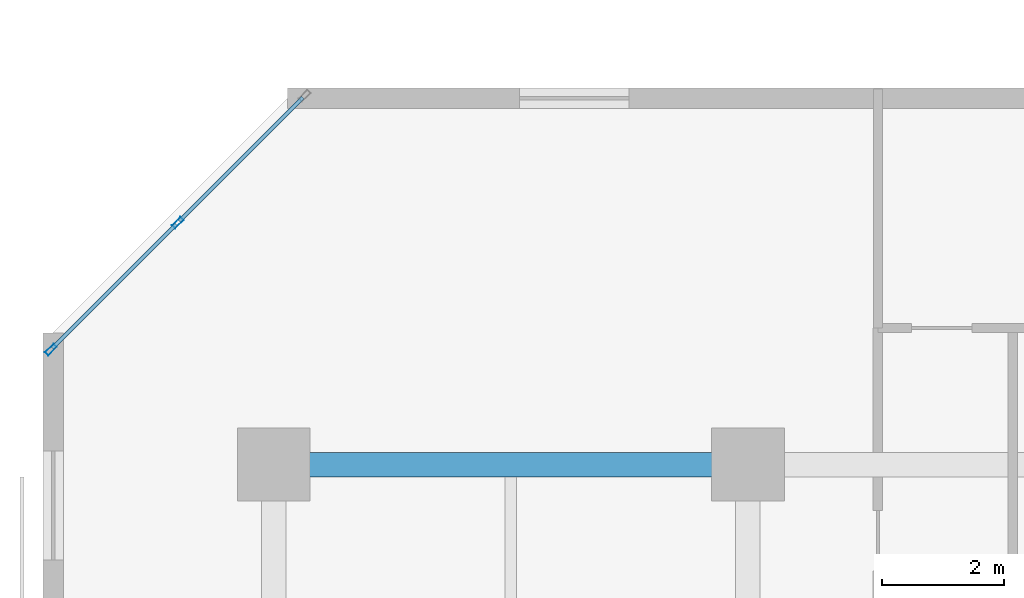
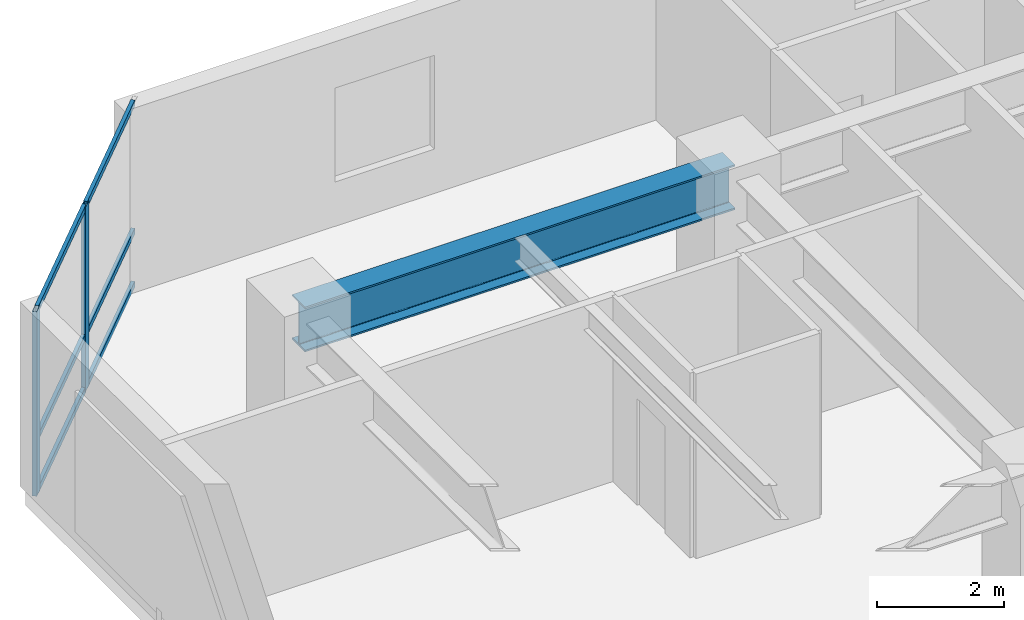
# One storey, part 3 of 12: 8 members, 1 beam, 1 element without a shape of its own.
"""IFC4 building model written with IfcOpenShell, lengths in metres."""

from ifc_helpers import new_model, si_unit, direction, frame, origin, origin_2d, place, context, subcontext, project, spatial, hollow_rectangle, i_section, extrude, material, layer, layer_set, material_profile, profile_set, type_object, element, aggregate, save


model = new_model("IFC4")

# Units and contexts
model_context = context("Model", 3, precision=1e-05, world=origin(), true_north=direction((0.0, 1.0)))
body_context = subcontext(model_context, "Body", "Model", "MODEL_VIEW")
ifc_project = project(units=[si_unit("LENGTHUNIT", "METRE"), si_unit("AREAUNIT", "SQUARE_METRE"), si_unit("VOLUMEUNIT", "CUBIC_METRE"), si_unit("PLANEANGLEUNIT", "RADIAN"), si_unit("MASSUNIT", "GRAM", prefix="KILO")], contexts=[model_context])

# Site, building, storey
site_placement = place(None, origin())
site = spatial("IfcSite", under=ifc_project, at=site_placement, CompositionType="ELEMENT")
building_placement = place(site_placement, origin())
building = spatial("IfcBuilding", under=site, at=building_placement, Name="Kestravale Grand Hotel", CompositionType="ELEMENT")
storey_placement = place(building_placement, frame((0.0, 0.0, 103.199951171875)))
storey = spatial("IfcBuildingStorey", under=building, at=storey_placement, Name="L25", CompositionType="ELEMENT", Elevation=103.199951171875)

# Beam
ifc_material_1 = material(Name="Steel ASTM A992 Grade 50", Category="steel")
ifc_material_profile_1 = material_profile(ifc_material_1, i_section(OverallWidth=0.40087890625, OverallDepth=0.861083984375, WebThickness=0.019775390625, FlangeThickness=0.032470703125, FilletRadius=0.0234375, at=origin_2d()))
ifc_profile_set_1 = profile_set([ifc_material_profile_1], Name="Steel ASTM A992 Grade 50")
beam_type = type_object("IfcBeamType", Name="B-GRD-W33", PredefinedType="BEAM", material=ifc_profile_set_1)
beam_placement = place(storey_placement, frame((7.800048828125, 38.39990234375, 3.109619140625), z_axis=(1.0, 0.0, 0.0), x_axis=(0.0, 1.0, 0.0)))
element("IfcBeam", 1, at=beam_placement, inside=storey, type_object=beam_type, Name="L25 girder F:2-3", PredefinedType="BEAM", context=body_context, shape_type="SweptSolid", body=[
    extrude(i_section(OverallWidth=0.40087890625, OverallDepth=0.861083984375, WebThickness=0.019775390625, FlangeThickness=0.032470703125, FilletRadius=0.0234375, at=origin_2d()), origin(), (0.0, 0.0, 1.0), 7.800048828125),
])

# Curtain wall, members
ifc_material_2 = material(Name="Thermally broken champagne-bronze aluminium and low-E glazing", Category="aluminium")
ifc_layer = layer(ifc_material_2, 0.199951171875)
ifc_layer_set = layer_set([ifc_layer], Name="CW-Z2")
curtain_wall_type = type_object("IfcCurtainWallType", Name="CW-Z2", PredefinedType="NOTDEFINED", material=ifc_layer_set)
curtain_wall_placement = place(storey_placement, origin())
curtain_wall = element("IfcCurtainWall", 2, at=curtain_wall_placement, inside=storey, type_object=curtain_wall_type, Name="L25 unitised curtain wall 18", PredefinedType="NOTDEFINED")
ifc_material_3 = material(Name="Aluminium 6063-T6 anodised", Category="aluminium")
ifc_material_profile_2 = material_profile(ifc_material_3, hollow_rectangle(XDim=0.074951171875, YDim=0.199951171875, WallThickness=0.00390625, at=origin_2d()))
ifc_profile_set_2 = profile_set([ifc_material_profile_2], Name="Aluminium 6063-T6 anodised")
member_type_1 = type_object("IfcMemberType", Name="CW-MUL-200", PredefinedType="MULLION", material=ifc_profile_set_2)
member_1_placement = place(storey_placement, frame((6.22021484375, 42.3798828125, 0.0), z_axis=(0.0, 0.0, 1.0), x_axis=(0.707106781187, -0.707106781187, 0.0)))
member_1 = element("IfcMember", 3, at=member_1_placement, type_object=member_type_1, Name="CW-Z2 mullion 2", PredefinedType="MULLION", context=body_context, shape_type="SweptSolid", body=[
    extrude(hollow_rectangle(XDim=0.074951171875, YDim=0.199951171875, WallThickness=0.00390625, at=origin_2d()), origin(), (0.0, 0.0, 1.0), 3.5400390625),
])
member_2_placement = place(storey_placement, frame((4.132568359375, 40.292236328125, 0.0), z_axis=(0.0, 0.0, 1.0), x_axis=(0.707106781187, -0.707106781187, 0.0)))
member_2 = element("IfcMember", 4, at=member_2_placement, type_object=member_type_1, Name="CW-Z2 mullion 3", PredefinedType="MULLION", context=body_context, shape_type="SweptSolid", body=[
    extrude(hollow_rectangle(XDim=0.074951171875, YDim=0.199951171875, WallThickness=0.00390625, at=origin_2d()), origin(), (0.0, 0.0, 1.0), 3.5400390625),
])
ifc_material_4 = material(Name="Aluminium 6063-T6 anodised", Category="aluminium")
ifc_material_profile_3 = material_profile(ifc_material_4, hollow_rectangle(XDim=0.06494140625, YDim=0.114990234375, WallThickness=0.003173828125, at=origin_2d()))
ifc_profile_set_3 = profile_set([ifc_material_profile_3], Name="Aluminium 6063-T6 anodised")
member_type_2 = type_object("IfcMemberType", Name="CW-TRN-115", PredefinedType="USERDEFINED", material=ifc_profile_set_3)
member_3_placement = place(storey_placement, frame((8.28125, 44.44091796875, 0.032470703125), z_axis=(-0.707064354356, -0.707149205472, 0.0), x_axis=(0.707149205472, -0.707064354356, 0.0)))
member_3 = element("IfcMember", 5, at=member_3_placement, type_object=member_type_2, Name="CW-Z2 transom 1.1", ObjectType="TRANSOM", PredefinedType="USERDEFINED", context=body_context, shape_type="SweptSolid", body=[
    extrude(hollow_rectangle(XDim=0.06494140625, YDim=0.114990234375, WallThickness=0.003173828125, at=origin_2d()), origin(), (0.0, 0.0, 1.0), 2.877197265625),
])
member_4_placement = place(storey_placement, frame((8.28125, 44.44091796875, 1.050048828125), z_axis=(-0.707064354356, -0.707149205472, 0.0), x_axis=(0.707149205472, -0.707064354356, 0.0)))
member_4 = element("IfcMember", 6, at=member_4_placement, type_object=member_type_2, Name="CW-Z2 transom 1.2", ObjectType="TRANSOM", PredefinedType="USERDEFINED", context=body_context, shape_type="SweptSolid", body=[
    extrude(hollow_rectangle(XDim=0.06494140625, YDim=0.114990234375, WallThickness=0.003173828125, at=origin_2d()), origin(), (0.0, 0.0, 1.0), 2.877197265625),
])
member_5_placement = place(storey_placement, frame((8.28125, 44.44091796875, 3.507568359375), z_axis=(-0.707064354356, -0.707149205472, 0.0), x_axis=(0.707149205472, -0.707064354356, 0.0)))
member_5 = element("IfcMember", 7, at=member_5_placement, type_object=member_type_2, Name="CW-Z2 transom 1.3", ObjectType="TRANSOM", PredefinedType="USERDEFINED", context=body_context, shape_type="SweptSolid", body=[
    extrude(hollow_rectangle(XDim=0.06494140625, YDim=0.114990234375, WallThickness=0.003173828125, at=origin_2d()), origin(), (0.0, 0.0, 1.0), 2.877197265625),
])
member_6_placement = place(storey_placement, frame((6.193603515625, 42.353271484375, 0.032470703125), z_axis=(-0.707106781187, -0.707106781187, 0.0), x_axis=(0.707106781187, -0.707106781187, 0.0)))
member_6 = element("IfcMember", 8, at=member_6_placement, type_object=member_type_2, Name="CW-Z2 transom 2.1", ObjectType="TRANSOM", PredefinedType="USERDEFINED", context=body_context, shape_type="SweptSolid", body=[
    extrude(hollow_rectangle(XDim=0.06494140625, YDim=0.114990234375, WallThickness=0.003173828125, at=origin_2d()), origin(), (0.0, 0.0, 1.0), 2.87744140625),
])
member_7_placement = place(storey_placement, frame((6.193603515625, 42.353271484375, 1.050048828125), z_axis=(-0.707106781187, -0.707106781187, 0.0), x_axis=(0.707106781187, -0.707106781187, 0.0)))
member_7 = element("IfcMember", 9, at=member_7_placement, type_object=member_type_2, Name="CW-Z2 transom 2.2", ObjectType="TRANSOM", PredefinedType="USERDEFINED", context=body_context, shape_type="SweptSolid", body=[
    extrude(hollow_rectangle(XDim=0.06494140625, YDim=0.114990234375, WallThickness=0.003173828125, at=origin_2d()), origin(), (0.0, 0.0, 1.0), 2.87744140625),
])
member_8_placement = place(storey_placement, frame((6.193603515625, 42.353271484375, 3.507568359375), z_axis=(-0.707106781187, -0.707106781187, 0.0), x_axis=(0.707106781187, -0.707106781187, 0.0)))
member_8 = element("IfcMember", 10, at=member_8_placement, type_object=member_type_2, Name="CW-Z2 transom 2.3", ObjectType="TRANSOM", PredefinedType="USERDEFINED", context=body_context, shape_type="SweptSolid", body=[
    extrude(hollow_rectangle(XDim=0.06494140625, YDim=0.114990234375, WallThickness=0.003173828125, at=origin_2d()), origin(), (0.0, 0.0, 1.0), 2.87744140625),
])
aggregate(curtain_wall, [member_1, member_2, member_3, member_4, member_5, member_6, member_7, member_8])

save(model, "model.ifc")
